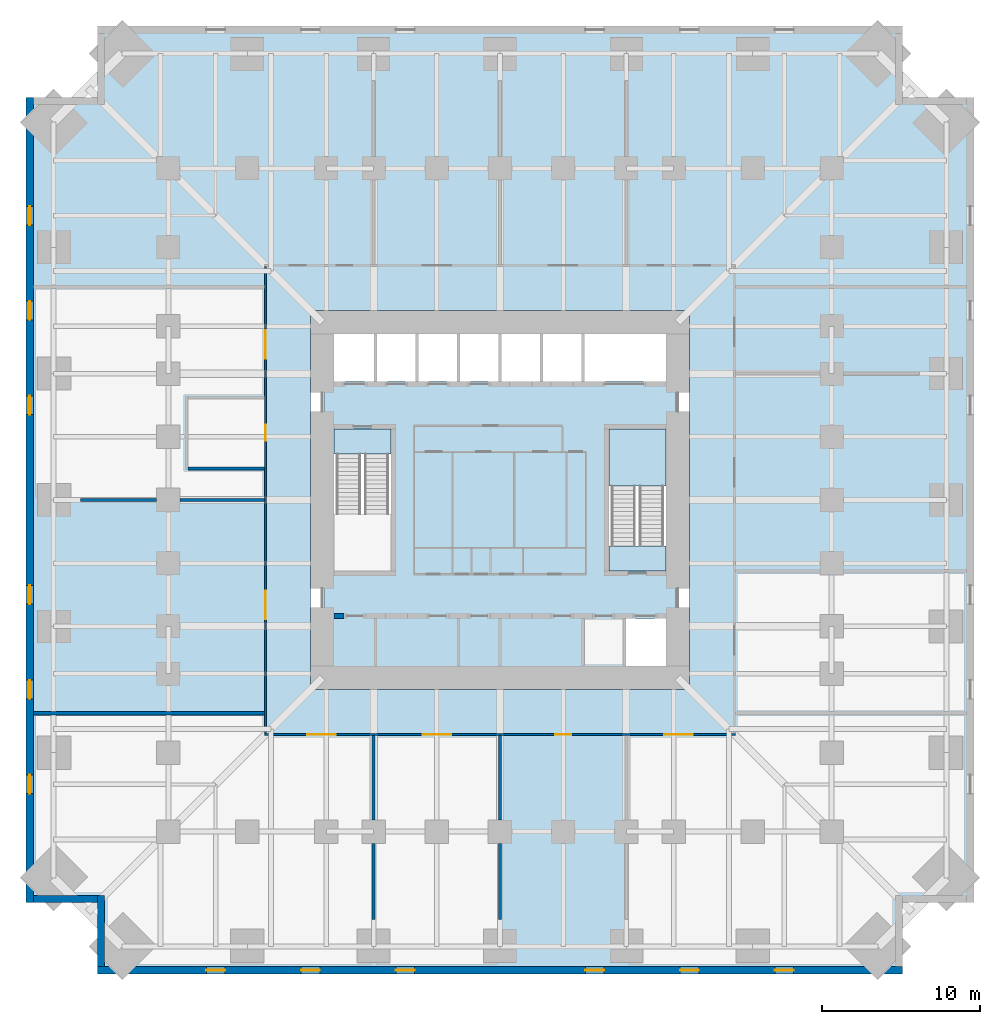
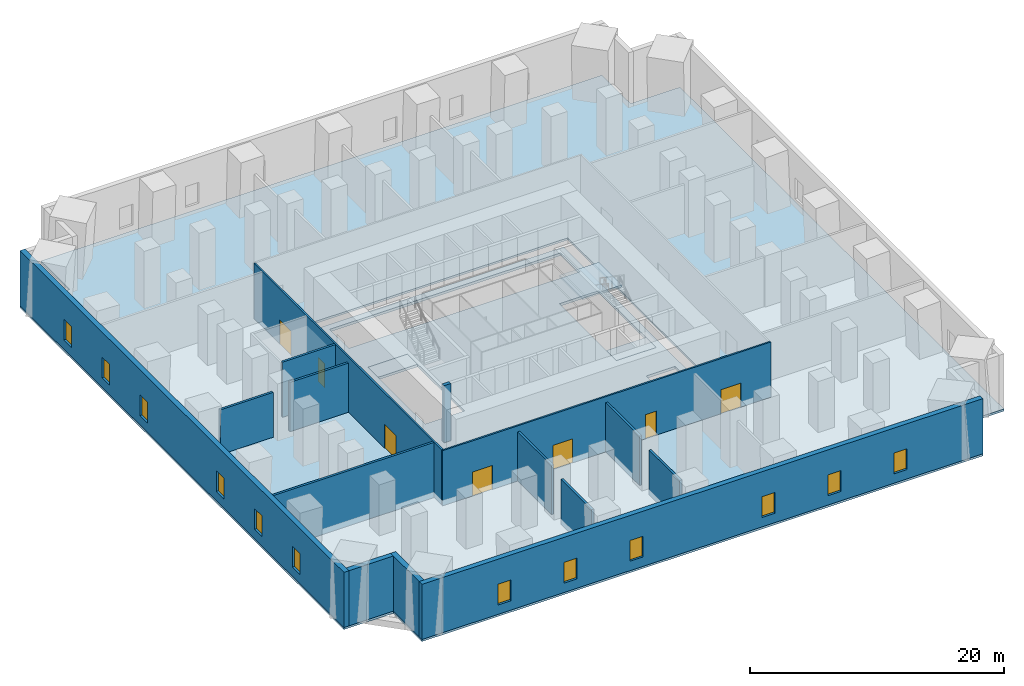
# One storey, part 3 of 8: 15 walls, 12 windows, 7 doors, 5 slabs, 19 openings, 2 elements without a shape of their own.
"""IFC4 building model written with IfcOpenShell, lengths in metres."""

from ifc_helpers import new_model, si_unit, direction, frame, frame_2d, origin, place, context, subcontext, project, spatial, polyline, rectangle, outline, extrude, material, layer, layer_set, type_object, element, fill, aggregate, save


model = new_model("IFC4")

# Units and contexts
model_context = context("Model", 3, precision=1e-05, world=origin(), true_north=direction((0.0, 1.0)))
body_context = subcontext(model_context, "Body", "Model", "MODEL_VIEW")
ifc_project = project(units=[si_unit("LENGTHUNIT", "METRE"), si_unit("AREAUNIT", "SQUARE_METRE"), si_unit("VOLUMEUNIT", "CUBIC_METRE"), si_unit("PLANEANGLEUNIT", "RADIAN"), si_unit("MASSUNIT", "GRAM", prefix="KILO")], contexts=[model_context])

# Site, building, storey
site_placement = place(None, origin())
site = spatial("IfcSite", under=ifc_project, at=site_placement, CompositionType="ELEMENT")
building_placement = place(site_placement, origin())
building = spatial("IfcBuilding", under=site, at=building_placement, Name="Peilmerk Tower", CompositionType="ELEMENT")
storey_placement = place(building_placement, frame((0.0, 0.0, 65.0)))
storey = spatial("IfcBuildingStorey", under=building, at=storey_placement, Name="L12", CompositionType="ELEMENT", Elevation=65.0)

# Slabs
ifc_material_1 = material(Name="Concrete C55/67", Category="concrete")
ifc_layer_1 = layer(ifc_material_1, 0.25)
ifc_layer_set_1 = layer_set([ifc_layer_1], Name="Concrete C55/67")
slab_type_1 = type_object("IfcSlabType", Name="CS250 250 core floor slab", PredefinedType="FLOOR", material=ifc_layer_set_1)
slab_1_placement = place(storey_placement, frame((0.0, 0.0, -0.25)))
element("IfcSlab", 1, at=slab_1_placement, inside=storey, type_object=slab_type_1, Name="Core slab L12", PredefinedType="FLOOR", context=body_context, shape_type="SweptSolid", body=[
    extrude(outline(polyline([(-11.10009765625, 11.10009765625), (-11.10009765625, -11.10009765625), (11.10009765625, -11.10009765625), (11.10009765625, 11.10009765625), (-11.10009765625, 11.10009765625)]), holes=[polyline([(10.5, 7.5), (-10.5, 7.5), (-10.5, 10.5), (10.5, 10.5), (10.5, 7.5)]), polyline([(7.875, -10.5), (7.875, -7.5), (10.5, -7.5), (10.5, -10.5), (7.875, -10.5)]), polyline([(-10.5, 4.5), (-6.89990234375, 4.5), (-6.89990234375, -4.5), (-10.5, -4.5), (-10.5, 4.5)]), polyline([(10.5, 4.5), (10.5, -4.5), (6.89990234375, -4.5), (6.89990234375, 4.5), (10.5, 4.5)])]), origin(), (0.0, 0.0, 1.0), 0.25),
])
ifc_material_2 = material(Name="Concrete C35/45", Category="concrete")
ifc_layer_2 = layer(ifc_material_2, 0.199951171875)
ifc_layer_set_2 = layer_set([ifc_layer_2], Name="Concrete C35/45")
slab_type_2 = type_object("IfcSlabType", Name="FS200 200 composite floor slab", PredefinedType="FLOOR", material=ifc_layer_set_2)
slab_2_placement = place(storey_placement, frame((0.0, 0.0, -0.199951171875)))
element("IfcSlab", 2, at=slab_2_placement, inside=storey, type_object=slab_type_2, Name="Floor slab L12", PredefinedType="FLOOR", context=body_context, shape_type="SweptSolid", body=[
    extrude(outline(polyline([(-25.5, -30.0), (25.5, -30.0), (25.5, -25.5), (30.0, -25.5), (30.0, 25.5), (25.5, 25.5), (25.5, 30.0), (-25.5, 30.0), (-25.5, 25.5), (-30.0, 25.5), (-30.0, -25.5), (-25.5, -25.5), (-25.5, -30.0)]), holes=[polyline([(12.0, 12.0), (12.0, -12.0), (-12.0, -12.0), (-12.0, 12.0), (12.0, 12.0)])]), origin(), (0.0, 0.0, 1.0), 0.199951171875),
])

# Stair, slab
ifc_material_3 = material(Name="Precast concrete C45/55", Category="concrete")
stair_type_1 = type_object("IfcStairType", Name="ST2 30 risers of 183.3", PredefinedType="HALF_TURN_STAIR", material=ifc_material_3)
stair_1_placement = place(storey_placement, origin())
stair_1 = element("IfcStair", 3, at=stair_1_placement, inside=storey, type_object=stair_type_1, Name="Stair 2 L12 to L13", PredefinedType="HALF_TURN_STAIR")
ifc_layer_3 = layer(ifc_material_2, 0.199951171875)
ifc_layer_set_3 = layer_set([ifc_layer_3], Name="Concrete C35/45")
slab_type_3 = type_object("IfcSlabType", Name="SL1 200 concrete stair landing", PredefinedType="LANDING", material=ifc_layer_set_3)
slab_3_placement = place(storey_placement, frame((0.0, 0.0, 2.550048828125)))
slab_3 = element("IfcSlab", 4, at=slab_3_placement, type_object=slab_type_3, Name="ST2 landing 1", PredefinedType="LANDING", context=body_context, shape_type="SweptSolid", body=[
    extrude(outline(polyline([(6.89990234375, 0.8798828125), (10.5, 0.8798828125), (10.5, 4.5), (6.89990234375, 4.5), (6.89990234375, 0.8798828125)])), origin(), (0.0, 0.0, 1.0), 0.199951171875),
])

stair_type_2 = type_object("IfcStairType", Name="ST1 30 risers of 183.3", PredefinedType="HALF_TURN_STAIR", material=ifc_material_3)
stair_2_placement = place(storey_placement, origin())
stair_2 = element("IfcStair", 5, at=stair_2_placement, inside=storey, type_object=stair_type_2, Name="Stair 1 L12 to L13", PredefinedType="HALF_TURN_STAIR")
ifc_layer_4 = layer(ifc_material_2, 0.25)
ifc_layer_set_4 = layer_set([ifc_layer_4], Name="Concrete C35/45")
slab_type_4 = type_object("IfcSlabType", Name="SL2 250 concrete floor landing", PredefinedType="LANDING", material=ifc_layer_set_4)
slab_4_placement = place(storey_placement, frame((0.0, 0.0, -0.25)))
slab_4 = element("IfcSlab", 6, at=slab_4_placement, type_object=slab_type_4, Name="ST1 floor landing", PredefinedType="LANDING", context=body_context, shape_type="SweptSolid", body=[
    extrude(outline(polyline([(-10.5, 2.89990234375), (-6.89990234375, 2.89990234375), (-6.89990234375, 4.5), (-10.5, 4.5), (-10.5, 2.89990234375)])), origin(), (0.0, 0.0, 1.0), 0.25),
])
aggregate(stair_2, [slab_4])

# Slab
slab_5_placement = place(storey_placement, frame((0.0, 0.0, -0.25)))
slab_5 = element("IfcSlab", 7, at=slab_5_placement, type_object=slab_type_4, Name="ST2 floor landing", PredefinedType="LANDING", context=body_context, shape_type="SweptSolid", body=[
    extrude(outline(polyline([(6.89990234375, -4.5), (10.5, -4.5), (10.5, -2.89990234375), (6.89990234375, -2.89990234375), (6.89990234375, -4.5)])), origin(), (0.0, 0.0, 1.0), 0.25),
])

aggregate(stair_1, [slab_3, slab_5])

# Wall, openings, windows
ifc_material_4 = material(Name="Precast concrete C45/55, board-marked finish", Category="concrete")
ifc_layer_5 = layer(ifc_material_4, 0.449951171875)
ifc_layer_set_5 = layer_set([ifc_layer_5], Name="Precast concrete C45/55, board-marked finish")
wall_type_1 = type_object("IfcWallType", Name="EW1 450 precast concrete facade wall, board-marked", PredefinedType="SOLIDWALL", material=ifc_layer_set_5)
wall_1_placement = place(storey_placement, frame((-25.5, -29.77490234375, 0.0), z_axis=(0.0, 0.0, 1.0), x_axis=(1.0, 0.0, 0.0)))
wall_1 = element("IfcWall", 8, at=wall_1_placement, inside=storey, type_object=wall_type_1, Name="Facade wall S L12", PredefinedType="SOLIDWALL", context=body_context, shape_type="SweptSolid", body=[
    extrude(rectangle(XDim=51.0, YDim=0.449951171875, at=frame_2d((25.5, 0.0))), origin(), (0.0, 0.0, 1.0), 5.300048828125),
])
opening_1_placement = place(wall_1_placement, frame((6.89990234375, 0.0, 0.89990234375)))
opening_1 = element("IfcOpeningElement", 9, at=opening_1_placement, cuts=wall_1, Name="Opening W2", PredefinedType="OPENING", context=body_context, shape_type="SweptSolid", body=[
    extrude(rectangle(XDim=1.199951171875, YDim=2.0, at=frame_2d((0.60009765625, 1.0))), frame((0.0, 0.23486328125, 0.0), z_axis=(0.0, -1.0, 0.0), x_axis=(1.0, 0.0, 0.0)), (0.0, 0.0, 1.0), 0.469970703125),
])
opening_2_placement = place(wall_1_placement, frame((12.89990234375, 0.0, 0.89990234375)))
opening_2 = element("IfcOpeningElement", 10, at=opening_2_placement, cuts=wall_1, Name="Opening W2", PredefinedType="OPENING", context=body_context, shape_type="SweptSolid", body=[
    extrude(rectangle(XDim=1.199951171875, YDim=2.0, at=frame_2d((0.60009765625, 1.0))), frame((0.0, 0.23486328125, 0.0), z_axis=(0.0, -1.0, 0.0), x_axis=(1.0, 0.0, 0.0)), (0.0, 0.0, 1.0), 0.469970703125),
])
opening_3_placement = place(wall_1_placement, frame((18.89990234375, 0.0, 0.89990234375)))
opening_3 = element("IfcOpeningElement", 11, at=opening_3_placement, cuts=wall_1, Name="Opening W2", PredefinedType="OPENING", context=body_context, shape_type="SweptSolid", body=[
    extrude(rectangle(XDim=1.199951171875, YDim=2.0, at=frame_2d((0.60009765625, 1.0))), frame((0.0, 0.23486328125, 0.0), z_axis=(0.0, -1.0, 0.0), x_axis=(1.0, 0.0, 0.0)), (0.0, 0.0, 1.0), 0.469970703125),
])
opening_4_placement = place(wall_1_placement, frame((30.89990234375, 0.0, 0.89990234375)))
opening_4 = element("IfcOpeningElement", 12, at=opening_4_placement, cuts=wall_1, Name="Opening W2", PredefinedType="OPENING", context=body_context, shape_type="SweptSolid", body=[
    extrude(rectangle(XDim=1.199951171875, YDim=2.0, at=frame_2d((0.60009765625, 1.0))), frame((0.0, 0.23486328125, 0.0), z_axis=(0.0, -1.0, 0.0), x_axis=(1.0, 0.0, 0.0)), (0.0, 0.0, 1.0), 0.469970703125),
])
opening_5_placement = place(wall_1_placement, frame((36.89990234375, 0.0, 0.89990234375)))
opening_5 = element("IfcOpeningElement", 13, at=opening_5_placement, cuts=wall_1, Name="Opening W2", PredefinedType="OPENING", context=body_context, shape_type="SweptSolid", body=[
    extrude(rectangle(XDim=1.199951171875, YDim=2.0, at=frame_2d((0.60009765625, 1.0))), frame((0.0, 0.23486328125, 0.0), z_axis=(0.0, -1.0, 0.0), x_axis=(1.0, 0.0, 0.0)), (0.0, 0.0, 1.0), 0.469970703125),
])
opening_6_placement = place(wall_1_placement, frame((42.89990234375, 0.0, 0.89990234375)))
opening_6 = element("IfcOpeningElement", 14, at=opening_6_placement, cuts=wall_1, Name="Opening W2", PredefinedType="OPENING", context=body_context, shape_type="SweptSolid", body=[
    extrude(rectangle(XDim=1.199951171875, YDim=2.0, at=frame_2d((0.60009765625, 1.0))), frame((0.0, 0.23486328125, 0.0), z_axis=(0.0, -1.0, 0.0), x_axis=(1.0, 0.0, 0.0)), (0.0, 0.0, 1.0), 0.469970703125),
])
ifc_material_5 = material(Name="Aluminium frame, clear double glazing", Category="aluminium")
window_type = type_object("IfcWindowType", Name="W2 1200x2000 data hall slot window", PartitioningType="SINGLE_PANEL", PredefinedType="WINDOW", material=ifc_material_5)
window_1_placement = place(opening_1_placement, origin())
window_1 = element("IfcWindow", 15, at=window_1_placement, inside=storey, type_object=window_type, Name="Window W2 L12", OverallHeight=2.0, OverallWidth=1.199951171875, PartitioningType="SINGLE_PANEL", PredefinedType="WINDOW", context=body_context, shape_type="SweptSolid", body=[
    extrude(rectangle(XDim=1.199951171875, YDim=2.0, at=frame_2d((0.60009765625, 1.0))), frame((0.0, 0.030029296875, 0.0), z_axis=(0.0, -1.0, 0.0), x_axis=(1.0, 0.0, 0.0)), (0.0, 0.0, 1.0), 0.06005859375),
])
fill(opening_1, window_1)
window_2_placement = place(opening_2_placement, origin())
window_2 = element("IfcWindow", 16, at=window_2_placement, inside=storey, type_object=window_type, Name="Window W2 L12", OverallHeight=2.0, OverallWidth=1.199951171875, PartitioningType="SINGLE_PANEL", PredefinedType="WINDOW", context=body_context, shape_type="SweptSolid", body=[
    extrude(rectangle(XDim=1.199951171875, YDim=2.0, at=frame_2d((0.60009765625, 1.0))), frame((0.0, 0.030029296875, 0.0), z_axis=(0.0, -1.0, 0.0), x_axis=(1.0, 0.0, 0.0)), (0.0, 0.0, 1.0), 0.06005859375),
])
fill(opening_2, window_2)
window_3_placement = place(opening_3_placement, origin())
window_3 = element("IfcWindow", 17, at=window_3_placement, inside=storey, type_object=window_type, Name="Window W2 L12", OverallHeight=2.0, OverallWidth=1.199951171875, PartitioningType="SINGLE_PANEL", PredefinedType="WINDOW", context=body_context, shape_type="SweptSolid", body=[
    extrude(rectangle(XDim=1.199951171875, YDim=2.0, at=frame_2d((0.60009765625, 1.0))), frame((0.0, 0.030029296875, 0.0), z_axis=(0.0, -1.0, 0.0), x_axis=(1.0, 0.0, 0.0)), (0.0, 0.0, 1.0), 0.06005859375),
])
fill(opening_3, window_3)
window_4_placement = place(opening_4_placement, origin())
window_4 = element("IfcWindow", 18, at=window_4_placement, inside=storey, type_object=window_type, Name="Window W2 L12", OverallHeight=2.0, OverallWidth=1.199951171875, PartitioningType="SINGLE_PANEL", PredefinedType="WINDOW", context=body_context, shape_type="SweptSolid", body=[
    extrude(rectangle(XDim=1.199951171875, YDim=2.0, at=frame_2d((0.60009765625, 1.0))), frame((0.0, 0.030029296875, 0.0), z_axis=(0.0, -1.0, 0.0), x_axis=(1.0, 0.0, 0.0)), (0.0, 0.0, 1.0), 0.06005859375),
])
fill(opening_4, window_4)
window_5_placement = place(opening_5_placement, origin())
window_5 = element("IfcWindow", 19, at=window_5_placement, inside=storey, type_object=window_type, Name="Window W2 L12", OverallHeight=2.0, OverallWidth=1.199951171875, PartitioningType="SINGLE_PANEL", PredefinedType="WINDOW", context=body_context, shape_type="SweptSolid", body=[
    extrude(rectangle(XDim=1.199951171875, YDim=2.0, at=frame_2d((0.60009765625, 1.0))), frame((0.0, 0.030029296875, 0.0), z_axis=(0.0, -1.0, 0.0), x_axis=(1.0, 0.0, 0.0)), (0.0, 0.0, 1.0), 0.06005859375),
])
fill(opening_5, window_5)
window_6_placement = place(opening_6_placement, origin())
window_6 = element("IfcWindow", 20, at=window_6_placement, inside=storey, type_object=window_type, Name="Window W2 L12", OverallHeight=2.0, OverallWidth=1.199951171875, PartitioningType="SINGLE_PANEL", PredefinedType="WINDOW", context=body_context, shape_type="SweptSolid", body=[
    extrude(rectangle(XDim=1.199951171875, YDim=2.0, at=frame_2d((0.60009765625, 1.0))), frame((0.0, 0.030029296875, 0.0), z_axis=(0.0, -1.0, 0.0), x_axis=(1.0, 0.0, 0.0)), (0.0, 0.0, 1.0), 0.06005859375),
])
fill(opening_6, window_6)

wall_2_placement = place(storey_placement, frame((-29.77490234375, 25.5, 0.0), z_axis=(0.0, 0.0, 1.0), x_axis=(0.0, -1.0, 0.0)))
wall_2 = element("IfcWall", 21, at=wall_2_placement, inside=storey, type_object=wall_type_1, Name="Facade wall W L12", PredefinedType="SOLIDWALL", context=body_context, shape_type="SweptSolid", body=[
    extrude(rectangle(XDim=51.0, YDim=0.449951171875, at=frame_2d((25.5, 0.0))), origin(), (0.0, 0.0, 1.0), 5.300048828125),
])
opening_7_placement = place(wall_2_placement, frame((6.89990234375, 0.0, 0.89990234375)))
opening_7 = element("IfcOpeningElement", 22, at=opening_7_placement, cuts=wall_2, Name="Opening W2", PredefinedType="OPENING", context=body_context, shape_type="SweptSolid", body=[
    extrude(rectangle(XDim=1.199951171875, YDim=2.0, at=frame_2d((0.60009765625, 1.0))), frame((0.0, 0.23486328125, 0.0), z_axis=(0.0, -1.0, 0.0), x_axis=(1.0, 0.0, 0.0)), (0.0, 0.0, 1.0), 0.469970703125),
])
opening_8_placement = place(wall_2_placement, frame((12.89990234375, 0.0, 0.89990234375)))
opening_8 = element("IfcOpeningElement", 23, at=opening_8_placement, cuts=wall_2, Name="Opening W2", PredefinedType="OPENING", context=body_context, shape_type="SweptSolid", body=[
    extrude(rectangle(XDim=1.199951171875, YDim=2.0, at=frame_2d((0.60009765625, 1.0))), frame((0.0, 0.23486328125, 0.0), z_axis=(0.0, -1.0, 0.0), x_axis=(1.0, 0.0, 0.0)), (0.0, 0.0, 1.0), 0.469970703125),
])
opening_9_placement = place(wall_2_placement, frame((18.89990234375, 0.0, 0.89990234375)))
opening_9 = element("IfcOpeningElement", 24, at=opening_9_placement, cuts=wall_2, Name="Opening W2", PredefinedType="OPENING", context=body_context, shape_type="SweptSolid", body=[
    extrude(rectangle(XDim=1.199951171875, YDim=2.0, at=frame_2d((0.60009765625, 1.0))), frame((0.0, 0.23486328125, 0.0), z_axis=(0.0, -1.0, 0.0), x_axis=(1.0, 0.0, 0.0)), (0.0, 0.0, 1.0), 0.469970703125),
])
opening_10_placement = place(wall_2_placement, frame((30.89990234375, 0.0, 0.89990234375)))
opening_10 = element("IfcOpeningElement", 25, at=opening_10_placement, cuts=wall_2, Name="Opening W2", PredefinedType="OPENING", context=body_context, shape_type="SweptSolid", body=[
    extrude(rectangle(XDim=1.199951171875, YDim=2.0, at=frame_2d((0.60009765625, 1.0))), frame((0.0, 0.23486328125, 0.0), z_axis=(0.0, -1.0, 0.0), x_axis=(1.0, 0.0, 0.0)), (0.0, 0.0, 1.0), 0.469970703125),
])
opening_11_placement = place(wall_2_placement, frame((36.89990234375, 0.0, 0.89990234375)))
opening_11 = element("IfcOpeningElement", 26, at=opening_11_placement, cuts=wall_2, Name="Opening W2", PredefinedType="OPENING", context=body_context, shape_type="SweptSolid", body=[
    extrude(rectangle(XDim=1.199951171875, YDim=2.0, at=frame_2d((0.60009765625, 1.0))), frame((0.0, 0.23486328125, 0.0), z_axis=(0.0, -1.0, 0.0), x_axis=(1.0, 0.0, 0.0)), (0.0, 0.0, 1.0), 0.469970703125),
])
opening_12_placement = place(wall_2_placement, frame((42.89990234375, 0.0, 0.89990234375)))
opening_12 = element("IfcOpeningElement", 27, at=opening_12_placement, cuts=wall_2, Name="Opening W2", PredefinedType="OPENING", context=body_context, shape_type="SweptSolid", body=[
    extrude(rectangle(XDim=1.199951171875, YDim=2.0, at=frame_2d((0.60009765625, 1.0))), frame((0.0, 0.23486328125, 0.0), z_axis=(0.0, -1.0, 0.0), x_axis=(1.0, 0.0, 0.0)), (0.0, 0.0, 1.0), 0.469970703125),
])
window_7_placement = place(opening_7_placement, origin())
window_7 = element("IfcWindow", 28, at=window_7_placement, inside=storey, type_object=window_type, Name="Window W2 L12", OverallHeight=2.0, OverallWidth=1.199951171875, PartitioningType="SINGLE_PANEL", PredefinedType="WINDOW", context=body_context, shape_type="SweptSolid", body=[
    extrude(rectangle(XDim=1.199951171875, YDim=2.0, at=frame_2d((0.60009765625, 1.0))), frame((0.0, 0.030029296875, 0.0), z_axis=(0.0, -1.0, 0.0), x_axis=(1.0, 0.0, 0.0)), (0.0, 0.0, 1.0), 0.06005859375),
])
fill(opening_7, window_7)
window_8_placement = place(opening_8_placement, origin())
window_8 = element("IfcWindow", 29, at=window_8_placement, inside=storey, type_object=window_type, Name="Window W2 L12", OverallHeight=2.0, OverallWidth=1.199951171875, PartitioningType="SINGLE_PANEL", PredefinedType="WINDOW", context=body_context, shape_type="SweptSolid", body=[
    extrude(rectangle(XDim=1.199951171875, YDim=2.0, at=frame_2d((0.60009765625, 1.0))), frame((0.0, 0.030029296875, 0.0), z_axis=(0.0, -1.0, 0.0), x_axis=(1.0, 0.0, 0.0)), (0.0, 0.0, 1.0), 0.06005859375),
])
fill(opening_8, window_8)
window_9_placement = place(opening_9_placement, origin())
window_9 = element("IfcWindow", 30, at=window_9_placement, inside=storey, type_object=window_type, Name="Window W2 L12", OverallHeight=2.0, OverallWidth=1.199951171875, PartitioningType="SINGLE_PANEL", PredefinedType="WINDOW", context=body_context, shape_type="SweptSolid", body=[
    extrude(rectangle(XDim=1.199951171875, YDim=2.0, at=frame_2d((0.60009765625, 1.0))), frame((0.0, 0.030029296875, 0.0), z_axis=(0.0, -1.0, 0.0), x_axis=(1.0, 0.0, 0.0)), (0.0, 0.0, 1.0), 0.06005859375),
])
fill(opening_9, window_9)
window_10_placement = place(opening_10_placement, origin())
window_10 = element("IfcWindow", 31, at=window_10_placement, inside=storey, type_object=window_type, Name="Window W2 L12", OverallHeight=2.0, OverallWidth=1.199951171875, PartitioningType="SINGLE_PANEL", PredefinedType="WINDOW", context=body_context, shape_type="SweptSolid", body=[
    extrude(rectangle(XDim=1.199951171875, YDim=2.0, at=frame_2d((0.60009765625, 1.0))), frame((0.0, 0.030029296875, 0.0), z_axis=(0.0, -1.0, 0.0), x_axis=(1.0, 0.0, 0.0)), (0.0, 0.0, 1.0), 0.06005859375),
])
fill(opening_10, window_10)
window_11_placement = place(opening_11_placement, origin())
window_11 = element("IfcWindow", 32, at=window_11_placement, inside=storey, type_object=window_type, Name="Window W2 L12", OverallHeight=2.0, OverallWidth=1.199951171875, PartitioningType="SINGLE_PANEL", PredefinedType="WINDOW", context=body_context, shape_type="SweptSolid", body=[
    extrude(rectangle(XDim=1.199951171875, YDim=2.0, at=frame_2d((0.60009765625, 1.0))), frame((0.0, 0.030029296875, 0.0), z_axis=(0.0, -1.0, 0.0), x_axis=(1.0, 0.0, 0.0)), (0.0, 0.0, 1.0), 0.06005859375),
])
fill(opening_11, window_11)
window_12_placement = place(opening_12_placement, origin())
window_12 = element("IfcWindow", 33, at=window_12_placement, inside=storey, type_object=window_type, Name="Window W2 L12", OverallHeight=2.0, OverallWidth=1.199951171875, PartitioningType="SINGLE_PANEL", PredefinedType="WINDOW", context=body_context, shape_type="SweptSolid", body=[
    extrude(rectangle(XDim=1.199951171875, YDim=2.0, at=frame_2d((0.60009765625, 1.0))), frame((0.0, 0.030029296875, 0.0), z_axis=(0.0, -1.0, 0.0), x_axis=(1.0, 0.0, 0.0)), (0.0, 0.0, 1.0), 0.06005859375),
])
fill(opening_12, window_12)

# Walls
wall_3_placement = place(storey_placement, frame((-25.27490234375, -25.050048828125, 0.0), z_axis=(0.0, 0.0, 1.0), x_axis=(0.0, -1.0, 0.0)))
element("IfcWall", 34, at=wall_3_placement, inside=storey, type_object=wall_type_1, Name="Facade wall SWA L12", PredefinedType="SOLIDWALL", context=body_context, shape_type="SweptSolid", body=[
    extrude(rectangle(XDim=4.5, YDim=0.449951171875, at=frame_2d((2.25, 0.0))), origin(), (0.0, 0.0, 1.0), 5.300048828125),
])
wall_4_placement = place(storey_placement, frame((-25.5, -25.27490234375, 0.0), z_axis=(0.0, 0.0, 1.0), x_axis=(-1.0, 0.0, 0.0)))
element("IfcWall", 35, at=wall_4_placement, inside=storey, type_object=wall_type_1, Name="Facade wall SWB L12", PredefinedType="SOLIDWALL", context=body_context, shape_type="SweptSolid", body=[
    extrude(rectangle(XDim=4.050048828125, YDim=0.449951171875, at=frame_2d((2.02490234375, 0.0))), origin(), (0.0, 0.0, 1.0), 5.300048828125),
])

# Wall, openings, doors
ifc_material_6 = material(Name="Calcium silicate block", Category="masonry")
ifc_layer_6 = layer(ifc_material_6, 0.14990234375)
ifc_layer_set_6 = layer_set([ifc_layer_6], Name="Calcium silicate block")
wall_type_2 = type_object("IfcWallType", Name="IW1 150 corridor partition, EI 60", PredefinedType="PARTITIONING", material=ifc_layer_set_6)
wall_5_placement = place(storey_placement, frame((14.925048828125, -14.85009765625, 0.0), z_axis=(0.0, 0.0, 1.0), x_axis=(-1.0, 0.0, 0.0)))
wall_5 = element("IfcWall", 36, at=wall_5_placement, inside=storey, type_object=wall_type_2, Name="Corridor wall S L12", PredefinedType="PARTITIONING", context=body_context, shape_type="SweptSolid", body=[
    extrude(rectangle(XDim=29.85009765625, YDim=0.14990234375, at=frame_2d((14.925048828125, 0.0))), origin(), (0.0, 0.0, 1.0), 5.300048828125),
])
opening_13_placement = place(wall_5_placement, frame((25.324951171875, 0.0, 0.0)))
opening_13 = element("IfcOpeningElement", 37, at=opening_13_placement, cuts=wall_5, Name="Opening D2", PredefinedType="OPENING", context=body_context, shape_type="SweptSolid", body=[
    extrude(rectangle(XDim=1.800048828125, YDim=2.300048828125, at=frame_2d((0.89990234375, 1.14990234375))), frame((0.0, 0.0849609375, 0.0), z_axis=(0.0, -1.0, 0.0), x_axis=(1.0, 0.0, 0.0)), (0.0, 0.0, 1.0), 0.169921875),
])
opening_14_placement = place(wall_5_placement, frame((18.02490234375, 0.0, 0.0)))
opening_14 = element("IfcOpeningElement", 38, at=opening_14_placement, cuts=wall_5, Name="Opening D2", PredefinedType="OPENING", context=body_context, shape_type="SweptSolid", body=[
    extrude(rectangle(XDim=1.800048828125, YDim=2.300048828125, at=frame_2d((0.89990234375, 1.14990234375))), frame((0.0, 0.0849609375, 0.0), z_axis=(0.0, -1.0, 0.0), x_axis=(1.0, 0.0, 0.0)), (0.0, 0.0, 1.0), 0.169921875),
])
opening_15_placement = place(wall_5_placement, frame((10.425048828125, 0.0, 0.0)))
opening_15 = element("IfcOpeningElement", 39, at=opening_15_placement, cuts=wall_5, Name="Opening D1", PredefinedType="OPENING", context=body_context, shape_type="SweptSolid", body=[
    extrude(rectangle(XDim=1.0, YDim=2.300048828125, at=frame_2d((0.5, 1.14990234375))), frame((0.0, 0.0849609375, 0.0), z_axis=(0.0, -1.0, 0.0), x_axis=(1.0, 0.0, 0.0)), (0.0, 0.0, 1.0), 0.169921875),
])
opening_16_placement = place(wall_5_placement, frame((2.72509765625, 0.0, 0.0)))
opening_16 = element("IfcOpeningElement", 40, at=opening_16_placement, cuts=wall_5, Name="Opening D2", PredefinedType="OPENING", context=body_context, shape_type="SweptSolid", body=[
    extrude(rectangle(XDim=1.800048828125, YDim=2.300048828125, at=frame_2d((0.89990234375, 1.14990234375))), frame((0.0, 0.0849609375, 0.0), z_axis=(0.0, -1.0, 0.0), x_axis=(1.0, 0.0, 0.0)), (0.0, 0.0, 1.0), 0.169921875),
])
ifc_material_7 = material(Name="Timber door in steel frame", Category="steel")
door_type_1 = type_object("IfcDoorType", Name="D1 1000x2300 room door, EI2 30", OperationType="SINGLE_SWING_LEFT", PredefinedType="DOOR", material=ifc_material_7)
door_1_placement = place(opening_15_placement, origin())
door_1 = element("IfcDoor", 41, at=door_1_placement, inside=storey, type_object=door_type_1, Name="Door Pump room L12", OperationType="SINGLE_SWING_LEFT", OverallHeight=2.300048828125, OverallWidth=1.0, PredefinedType="DOOR", context=body_context, shape_type="SweptSolid", body=[
    extrude(rectangle(XDim=1.0, YDim=2.300048828125, at=frame_2d((0.5, 1.14990234375))), frame((0.0, 0.02490234375, 0.0), z_axis=(0.0, -1.0, 0.0), x_axis=(1.0, 0.0, 0.0)), (0.0, 0.0, 1.0), 0.050048828125),
])
fill(opening_15, door_1)
ifc_material_8 = material(Name="Steel door in steel frame", Category="steel")
door_type_2 = type_object("IfcDoorType", Name="D2 1800x2300 double door, EI2 60", OperationType="DOUBLE_DOOR_DOUBLE_SWING", PredefinedType="DOOR", material=ifc_material_8)
door_2_placement = place(opening_13_placement, origin())
door_2 = element("IfcDoor", 42, at=door_2_placement, inside=storey, type_object=door_type_2, Name="Door Computer room C L12", OperationType="DOUBLE_DOOR_DOUBLE_SWING", OverallHeight=2.300048828125, OverallWidth=1.800048828125, PredefinedType="DOOR", context=body_context, shape_type="SweptSolid", body=[
    extrude(rectangle(XDim=1.800048828125, YDim=2.300048828125, at=frame_2d((0.89990234375, 1.14990234375))), frame((0.0, 0.02490234375, 0.0), z_axis=(0.0, -1.0, 0.0), x_axis=(1.0, 0.0, 0.0)), (0.0, 0.0, 1.0), 0.050048828125),
])
fill(opening_13, door_2)
door_3_placement = place(opening_14_placement, origin())
door_3 = element("IfcDoor", 43, at=door_3_placement, inside=storey, type_object=door_type_2, Name="Door Network room L12", OperationType="DOUBLE_DOOR_DOUBLE_SWING", OverallHeight=2.300048828125, OverallWidth=1.800048828125, PredefinedType="DOOR", context=body_context, shape_type="SweptSolid", body=[
    extrude(rectangle(XDim=1.800048828125, YDim=2.300048828125, at=frame_2d((0.89990234375, 1.14990234375))), frame((0.0, 0.02490234375, 0.0), z_axis=(0.0, -1.0, 0.0), x_axis=(1.0, 0.0, 0.0)), (0.0, 0.0, 1.0), 0.050048828125),
])
fill(opening_14, door_3)
door_4_placement = place(opening_16_placement, origin())
door_4 = element("IfcDoor", 44, at=door_4_placement, inside=storey, type_object=door_type_2, Name="Door Computer room D L12", OperationType="DOUBLE_DOOR_DOUBLE_SWING", OverallHeight=2.300048828125, OverallWidth=1.800048828125, PredefinedType="DOOR", context=body_context, shape_type="SweptSolid", body=[
    extrude(rectangle(XDim=1.800048828125, YDim=2.300048828125, at=frame_2d((0.89990234375, 1.14990234375))), frame((0.0, 0.02490234375, 0.0), z_axis=(0.0, -1.0, 0.0), x_axis=(1.0, 0.0, 0.0)), (0.0, 0.0, 1.0), 0.050048828125),
])
fill(opening_16, door_4)

wall_6_placement = place(storey_placement, frame((-14.85009765625, 14.77490234375, 0.0), z_axis=(0.0, 0.0, 1.0), x_axis=(0.0, -1.0, 0.0)))
wall_6 = element("IfcWall", 45, at=wall_6_placement, inside=storey, type_object=wall_type_2, Name="Corridor wall W L12", PredefinedType="PARTITIONING", context=body_context, shape_type="SweptSolid", body=[
    extrude(rectangle(XDim=29.5498046875, YDim=0.14990234375, at=frame_2d((14.77490234375, 0.0))), origin(), (0.0, 0.0, 1.0), 5.300048828125),
])
opening_17_placement = place(wall_6_placement, frame((20.52490234375, 0.0, 0.0)))
opening_17 = element("IfcOpeningElement", 46, at=opening_17_placement, cuts=wall_6, Name="Opening D2", PredefinedType="OPENING", context=body_context, shape_type="SweptSolid", body=[
    extrude(rectangle(XDim=1.800048828125, YDim=2.300048828125, at=frame_2d((0.89990234375, 1.14990234375))), frame((0.0, 0.0849609375, 0.0), z_axis=(0.0, -1.0, 0.0), x_axis=(1.0, 0.0, 0.0)), (0.0, 0.0, 1.0), 0.169921875),
])
opening_18_placement = place(wall_6_placement, frame((4.02490234375, 0.0, 0.0)))
opening_18 = element("IfcOpeningElement", 47, at=opening_18_placement, cuts=wall_6, Name="Opening D2", PredefinedType="OPENING", context=body_context, shape_type="SweptSolid", body=[
    extrude(rectangle(XDim=1.800048828125, YDim=2.300048828125, at=frame_2d((0.89990234375, 1.14990234375))), frame((0.0, 0.0849609375, 0.0), z_axis=(0.0, -1.0, 0.0), x_axis=(1.0, 0.0, 0.0)), (0.0, 0.0, 1.0), 0.169921875),
])
opening_19_placement = place(wall_6_placement, frame((10.02490234375, 0.0, 0.0)))
opening_19 = element("IfcOpeningElement", 48, at=opening_19_placement, cuts=wall_6, Name="Opening D1", PredefinedType="OPENING", context=body_context, shape_type="SweptSolid", body=[
    extrude(rectangle(XDim=1.0, YDim=2.300048828125, at=frame_2d((0.5, 1.14990234375))), frame((0.0, 0.0849609375, 0.0), z_axis=(0.0, -1.0, 0.0), x_axis=(1.0, 0.0, 0.0)), (0.0, 0.0, 1.0), 0.169921875),
])
door_5_placement = place(opening_19_placement, frame((1.0, 0.0, 0.0), z_axis=(0.0, 0.0, 1.0), x_axis=(-1.0, 0.0, 0.0)))
door_5 = element("IfcDoor", 49, at=door_5_placement, inside=storey, type_object=door_type_1, Name="Door Operations office L12", OperationType="SINGLE_SWING_LEFT", OverallHeight=2.300048828125, OverallWidth=1.0, PredefinedType="DOOR", context=body_context, shape_type="SweptSolid", body=[
    extrude(rectangle(XDim=1.0, YDim=2.300048828125, at=frame_2d((0.5, 1.14990234375))), frame((0.0, 0.02490234375, 0.0), z_axis=(0.0, -1.0, 0.0), x_axis=(1.0, 0.0, 0.0)), (0.0, 0.0, 1.0), 0.050048828125),
])
fill(opening_19, door_5)
door_6_placement = place(opening_17_placement, frame((1.800048828125, 0.0, 0.0), z_axis=(0.0, 0.0, 1.0), x_axis=(-1.0, 0.0, 0.0)))
door_6 = element("IfcDoor", 50, at=door_6_placement, inside=storey, type_object=door_type_2, Name="Door Battery room L12", OperationType="DOUBLE_DOOR_DOUBLE_SWING", OverallHeight=2.300048828125, OverallWidth=1.800048828125, PredefinedType="DOOR", context=body_context, shape_type="SweptSolid", body=[
    extrude(rectangle(XDim=1.800048828125, YDim=2.300048828125, at=frame_2d((0.89990234375, 1.14990234375))), frame((0.0, 0.02490234375, 0.0), z_axis=(0.0, -1.0, 0.0), x_axis=(1.0, 0.0, 0.0)), (0.0, 0.0, 1.0), 0.050048828125),
])
fill(opening_17, door_6)
door_7_placement = place(opening_18_placement, frame((1.800048828125, 0.0, 0.0), z_axis=(0.0, 0.0, 1.0), x_axis=(-1.0, 0.0, 0.0)))
door_7 = element("IfcDoor", 51, at=door_7_placement, inside=storey, type_object=door_type_2, Name="Door UPS room L12", OperationType="DOUBLE_DOOR_DOUBLE_SWING", OverallHeight=2.300048828125, OverallWidth=1.800048828125, PredefinedType="DOOR", context=body_context, shape_type="SweptSolid", body=[
    extrude(rectangle(XDim=1.800048828125, YDim=2.300048828125, at=frame_2d((0.89990234375, 1.14990234375))), frame((0.0, 0.02490234375, 0.0), z_axis=(0.0, -1.0, 0.0), x_axis=(1.0, 0.0, 0.0)), (0.0, 0.0, 1.0), 0.050048828125),
])
fill(opening_18, door_7)

# Walls
ifc_layer_7 = layer(ifc_material_6, 0.199951171875)
ifc_layer_set_7 = layer_set([ifc_layer_7], Name="Calcium silicate block")
wall_type_3 = type_object("IfcWallType", Name="IW2 200 room separating wall, EI 120", PredefinedType="PARTITIONING", material=ifc_layer_set_7)
wall_7_placement = place(storey_placement, frame((-14.925048828125, -13.5, 0.0), z_axis=(0.0, 0.0, 1.0), x_axis=(-1.0, 0.0, 0.0)))
element("IfcWall", 52, at=wall_7_placement, inside=storey, type_object=wall_type_3, Name="Room separating wall SW L12", PredefinedType="PARTITIONING", context=body_context, shape_type="SweptSolid", body=[
    extrude(rectangle(XDim=14.625, YDim=0.199951171875, at=frame_2d((7.3125, 0.0))), origin(), (0.0, 0.0, 1.0), 5.300048828125),
])
wall_8_placement = place(storey_placement, frame((-8.0, -14.925048828125, 0.0), z_axis=(0.0, 0.0, 1.0), x_axis=(0.0, -1.0, 0.0)))
element("IfcWall", 53, at=wall_8_placement, inside=storey, type_object=wall_type_3, Name="Room separating wall S1 L12", PredefinedType="PARTITIONING", context=body_context, shape_type="SweptSolid", body=[
    extrude(rectangle(XDim=5.324951171875, YDim=0.199951171875, at=frame_2d((2.66259765625, 0.0))), origin(), (0.0, 0.0, 1.0), 4.73095703125),
])
wall_9_placement = place(storey_placement, frame((-8.0, -21.75, 0.0), z_axis=(0.0, 0.0, 1.0), x_axis=(0.0, -1.0, 0.0)))
element("IfcWall", 54, at=wall_9_placement, inside=storey, type_object=wall_type_3, Name="Room separating wall S1b L12", PredefinedType="PARTITIONING", context=body_context, shape_type="SweptSolid", body=[
    extrude(rectangle(XDim=4.819091796875, YDim=0.199951171875, at=frame_2d((2.40966796875, 0.0))), origin(), (0.0, 0.0, 1.0), 4.31005859375),
])
wall_10_placement = place(storey_placement, frame((0.0, -14.925048828125, 0.0), z_axis=(0.0, 0.0, 1.0), x_axis=(0.0, -1.0, 0.0)))
element("IfcWall", 55, at=wall_10_placement, inside=storey, type_object=wall_type_3, Name="Room separating wall S2 L12", PredefinedType="PARTITIONING", context=body_context, shape_type="SweptSolid", body=[
    extrude(rectangle(XDim=5.324951171875, YDim=0.199951171875, at=frame_2d((2.66259765625, 0.0))), origin(), (0.0, 0.0, 1.0), 4.73095703125),
])
wall_11_placement = place(storey_placement, frame((0.0, -21.75, 0.0), z_axis=(0.0, 0.0, 1.0), x_axis=(0.0, -1.0, 0.0)))
element("IfcWall", 56, at=wall_11_placement, inside=storey, type_object=wall_type_3, Name="Room separating wall S2b L12", PredefinedType="PARTITIONING", context=body_context, shape_type="SweptSolid", body=[
    extrude(rectangle(XDim=4.819091796875, YDim=0.199951171875, at=frame_2d((2.40966796875, 0.0))), origin(), (0.0, 0.0, 1.0), 4.31005859375),
])
wall_12_placement = place(storey_placement, frame((-14.925048828125, 0.0, 0.0), z_axis=(0.0, 0.0, 1.0), x_axis=(-1.0, 0.0, 0.0)))
element("IfcWall", 57, at=wall_12_placement, inside=storey, type_object=wall_type_3, Name="Room separating wall W1 L12", PredefinedType="PARTITIONING", context=body_context, shape_type="SweptSolid", body=[
    extrude(rectangle(XDim=5.324951171875, YDim=0.199951171875, at=frame_2d((2.66259765625, 0.0))), origin(), (0.0, 0.0, 1.0), 4.73095703125),
])
wall_13_placement = place(storey_placement, frame((-21.75, 0.0, 0.0), z_axis=(0.0, 0.0, 1.0), x_axis=(-1.0, 0.0, 0.0)))
element("IfcWall", 58, at=wall_13_placement, inside=storey, type_object=wall_type_3, Name="Room separating wall W1b L12", PredefinedType="PARTITIONING", context=body_context, shape_type="SweptSolid", body=[
    extrude(rectangle(XDim=4.819091796875, YDim=0.199951171875, at=frame_2d((2.40966796875, 0.0))), origin(), (0.0, 0.0, 1.0), 4.31005859375),
])
wall_14_placement = place(storey_placement, frame((-14.925048828125, 2.0, 0.0), z_axis=(0.0, 0.0, 1.0), x_axis=(-1.0, 0.0, 0.0)))
element("IfcWall", 59, at=wall_14_placement, inside=storey, type_object=wall_type_3, Name="Room separating wall Operations office L12", PredefinedType="PARTITIONING", context=body_context, shape_type="SweptSolid", body=[
    extrude(rectangle(XDim=4.824951171875, YDim=0.199951171875, at=frame_2d((2.41259765625, 0.0))), origin(), (0.0, 0.0, 1.0), 5.300048828125),
])
ifc_layer_8 = layer(ifc_material_1, 0.300048828125)
ifc_layer_set_8 = layer_set([ifc_layer_8], Name="Concrete C55/67")
wall_type_4 = type_object("IfcWallType", Name="SW2 300 lift bank pier", PredefinedType="SHEAR", material=ifc_layer_set_8)
wall_15_placement = place(storey_placement, frame((-10.5, -7.35009765625, 0.0), z_axis=(0.0, 0.0, 1.0), x_axis=(1.0, 0.0, 0.0)))
element("IfcWall", 60, at=wall_15_placement, inside=storey, type_object=wall_type_4, Name="Lift bank pier S L12", PredefinedType="SHEAR", context=body_context, shape_type="SweptSolid", body=[
    extrude(rectangle(XDim=0.612548828125, YDim=0.300048828125, at=frame_2d((0.30615234375, 0.0))), origin(), (0.0, 0.0, 1.0), 5.5),
])

save(model, "model.ifc")
